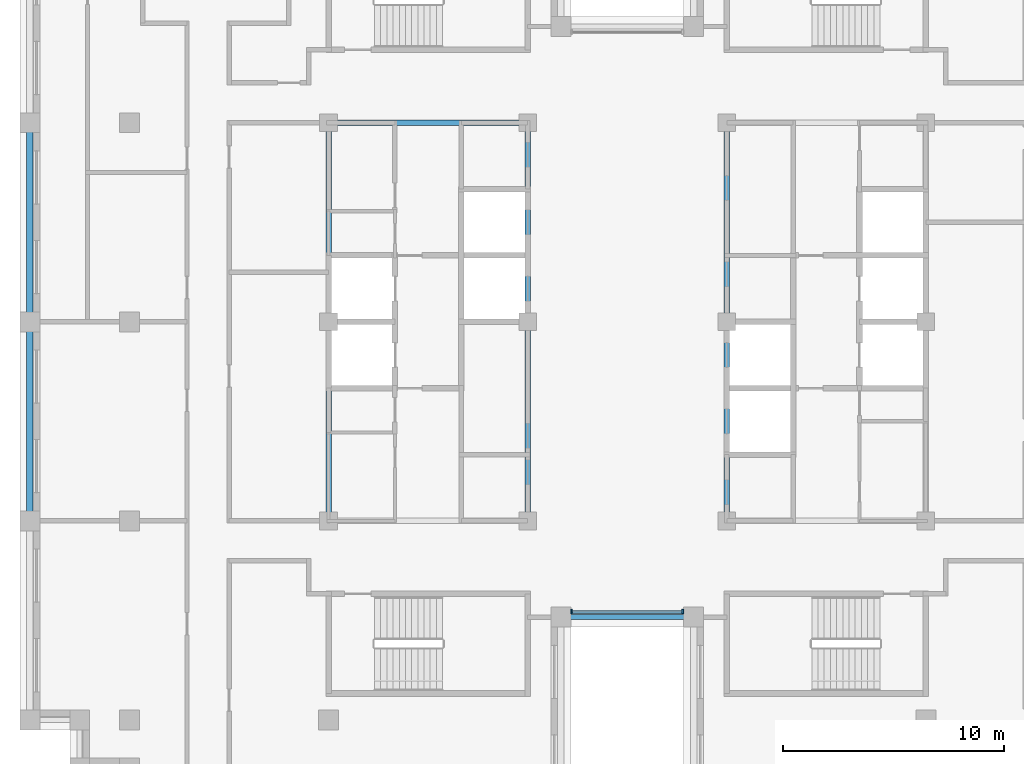
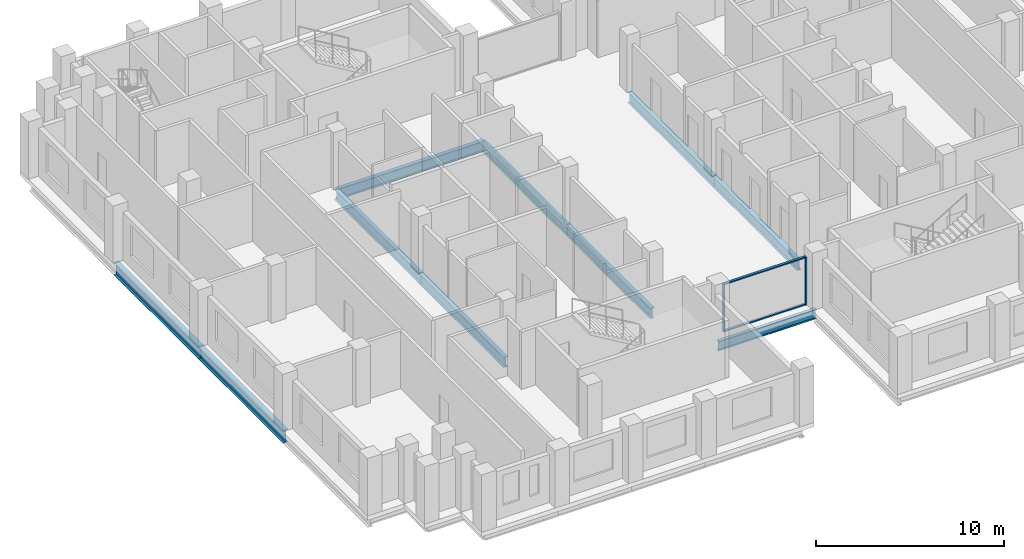
# One storey, part 2 of 13: 10 beams, 4 members, 1 element without a shape of its own.
"""IFC4 building model written with IfcOpenShell, lengths in metres."""

from ifc_helpers import new_model, si_unit, direction, frame, origin, origin_2d, place, context, subcontext, project, spatial, rectangle, i_section, extrude, material, layer, layer_set, material_profile, profile_set, type_object, element, aggregate, save


model = new_model("IFC4")

# Units and contexts
model_context = context("Model", 3, precision=1e-05, world=origin(), true_north=direction((0.0, 1.0)))
body_context = subcontext(model_context, "Body", "Model", "MODEL_VIEW")
ifc_project = project(units=[si_unit("LENGTHUNIT", "METRE"), si_unit("AREAUNIT", "SQUARE_METRE"), si_unit("VOLUMEUNIT", "CUBIC_METRE"), si_unit("PLANEANGLEUNIT", "RADIAN"), si_unit("MASSUNIT", "GRAM", prefix="KILO")], contexts=[model_context])

# Site, building, storey
site_placement = place(None, origin())
site = spatial("IfcSite", under=ifc_project, at=site_placement, CompositionType="ELEMENT")
building_placement = place(site_placement, origin())
building = spatial("IfcBuilding", under=site, at=building_placement, Name="Corbelhall Arena Tower", CompositionType="ELEMENT")
storey_placement = place(building_placement, frame((0.0, 0.0, 250.0)))
storey = spatial("IfcBuildingStorey", under=building, at=storey_placement, Name="L53", CompositionType="ELEMENT", Elevation=250.0)

# Curtain wall, members
ifc_material_1 = material(Name="Aluminium black anodised", Category="aluminium")
ifc_layer = layer(ifc_material_1, 0.199951171875)
ifc_layer_set = layer_set([ifc_layer], Name="EV-CW1 Slot back wall")
curtain_wall_type = type_object("IfcCurtainWallType", Name="EV-CW1 Slot back wall", PredefinedType="NOTDEFINED", material=ifc_layer_set)
curtain_wall_placement = place(storey_placement, origin())
curtain_wall = element("IfcCurtainWall", 1, at=curtain_wall_placement, inside=storey, type_object=curtain_wall_type, Name="Curtain wall CW1", PredefinedType="NOTDEFINED")
ifc_material_profile_1 = material_profile(ifc_material_1, rectangle(XDim=0.199951171875, YDim=0.074951171875, at=origin_2d()))
ifc_profile_set_1 = profile_set([ifc_material_profile_1], Name="Aluminium black anodised")
member_type_1 = type_object("IfcMemberType", Name="EV-CW1-MULLION", PredefinedType="MULLION", material=ifc_profile_set_1)
member_1_placement = place(storey_placement, frame((-2.512451171875, -13.10009765625, 0.0), z_axis=(0.0, 0.0, 1.0), x_axis=(0.0, 1.0, 0.0)))
member_1 = element("IfcMember", 2, at=member_1_placement, type_object=member_type_1, Name="CW1 mullion 1", PredefinedType="MULLION", context=body_context, shape_type="SweptSolid", body=[
    extrude(rectangle(XDim=0.199951171875, YDim=0.074951171875, at=origin_2d()), origin(), (0.0, 0.0, 1.0), 3.1201171875),
])
member_2_placement = place(storey_placement, frame((2.512451171875, -13.10009765625, 0.0), z_axis=(0.0, 0.0, 1.0), x_axis=(0.0, 1.0, 0.0)))
member_2 = element("IfcMember", 3, at=member_2_placement, type_object=member_type_1, Name="CW1 mullion 2", PredefinedType="MULLION", context=body_context, shape_type="SweptSolid", body=[
    extrude(rectangle(XDim=0.199951171875, YDim=0.074951171875, at=origin_2d()), origin(), (0.0, 0.0, 1.0), 3.1201171875),
])
ifc_material_profile_2 = material_profile(ifc_material_1, rectangle(XDim=0.14990234375, YDim=0.074951171875, at=origin_2d()))
ifc_profile_set_2 = profile_set([ifc_material_profile_2], Name="Aluminium black anodised")
member_type_2 = type_object("IfcMemberType", Name="EV-CW1-TRANSOM", PredefinedType="USERDEFINED", material=ifc_profile_set_2)
member_3_placement = place(storey_placement, frame((-2.47509765625, -13.10009765625, 0.03759765625), z_axis=(1.0, 0.0, 0.0), x_axis=(0.0, 1.0, 0.0)))
member_3 = element("IfcMember", 4, at=member_3_placement, type_object=member_type_2, Name="CW1 transom 1.1", ObjectType="transom", PredefinedType="USERDEFINED", context=body_context, shape_type="SweptSolid", body=[
    extrude(rectangle(XDim=0.14990234375, YDim=0.074951171875, at=origin_2d()), origin(), (0.0, 0.0, 1.0), 4.9501953125),
])
member_4_placement = place(storey_placement, frame((-2.47509765625, -13.10009765625, 3.08251953125), z_axis=(1.0, 0.0, 0.0), x_axis=(0.0, 1.0, 0.0)))
member_4 = element("IfcMember", 5, at=member_4_placement, type_object=member_type_2, Name="CW1 transom 1.2", ObjectType="transom", PredefinedType="USERDEFINED", context=body_context, shape_type="SweptSolid", body=[
    extrude(rectangle(XDim=0.14990234375, YDim=0.074951171875, at=origin_2d()), origin(), (0.0, 0.0, 1.0), 4.9501953125),
])
aggregate(curtain_wall, [member_1, member_2, member_3, member_4])

# Beams
ifc_material_2 = material(Name="Steel ASTM A992 Gr50", Category="steel")
ifc_material_profile_3 = material_profile(ifc_material_2, i_section(OverallWidth=0.25390625, OverallDepth=0.67822265625, WebThickness=0.01171875, FlangeThickness=0.016357421875, at=origin_2d()))
ifc_profile_set_3 = profile_set([ifc_material_profile_3], Name="Steel ASTM A992 Gr50")
beam_type_1 = type_object("IfcBeamType", Name="ST-BEAM-W27x84", PredefinedType="BEAM", material=ifc_profile_set_3)
for number, where, z_axis, x_axis, name in (
    (6, (-13.5, -9.0, -0.619140625), (0.0, 1.0, 0.0), (-1.0, 0.0, 0.0), "Beam CEW 1"),
    (7, (-13.5, 0.0, -0.619140625), (0.0, 1.0, 0.0), (-1.0, 0.0, 0.0), "Beam CEW 2"),
    (8, (-4.5, -9.0, -0.619140625), (0.0, 1.0, 0.0), (-1.0, 0.0, 0.0), "Beam CEW 3"),
    (9, (-4.5, 0.0, -0.619140625), (0.0, 1.0, 0.0), (-1.0, 0.0, 0.0), "Beam CEW 4"),
    (10, (-13.5, 9.0, -0.619140625), (1.0, 0.0, 0.0), (0.0, 1.0, 0.0), "Beam CEW 6"),
    (11, (4.5, -9.0, -0.619140625), (0.0, 1.0, 0.0), (-1.0, 0.0, 0.0), "Beam CEE 7"),
    (12, (4.5, 0.0, -0.619140625), (0.0, 1.0, 0.0), (-1.0, 0.0, 0.0), "Beam CEE 8"),
):
    element("IfcBeam", number, at=place(storey_placement, frame(where, z_axis=z_axis, x_axis=x_axis)), inside=storey, type_object=beam_type_1, Name=name, PredefinedType="BEAM", context=body_context, shape_type="SweptSolid", body=[
        extrude(i_section(OverallWidth=0.25390625, OverallDepth=0.67822265625, WebThickness=0.01171875, FlangeThickness=0.016357421875, at=origin_2d()), origin(), (0.0, 0.0, 1.0), 9.0),
    ])
ifc_material_profile_4 = material_profile(ifc_material_2, i_section(OverallWidth=0.227783203125, OverallDepth=0.60205078125, WebThickness=0.010498046875, FlangeThickness=0.014892578125, at=origin_2d()))
ifc_profile_set_4 = profile_set([ifc_material_profile_4], Name="Steel ASTM A992 Gr50")
beam_type_2 = type_object("IfcBeamType", Name="ST-SPANDREL-W24x68", PredefinedType="SPANDREL", material=ifc_profile_set_4)
beam_placement = place(storey_placement, frame((3.0, -13.35009765625, -0.5810546875), z_axis=(-1.0, 0.0, 0.0), x_axis=(0.0, -1.0, 0.0)))
element("IfcBeam", 13, at=beam_placement, inside=storey, type_object=beam_type_2, Name="Beam SP 33", PredefinedType="SPANDREL", context=body_context, shape_type="SweptSolid", body=[
    extrude(i_section(OverallWidth=0.227783203125, OverallDepth=0.60205078125, WebThickness=0.010498046875, FlangeThickness=0.014892578125, at=origin_2d()), origin(), (0.0, 0.0, 1.0), 6.0),
])
ifc_material_profile_5 = material_profile(ifc_material_2, i_section(OverallWidth=0.2919921875, OverallDepth=0.845703125, WebThickness=0.015380859375, FlangeThickness=0.0244140625, at=origin_2d()))
ifc_profile_set_5 = profile_set([ifc_material_profile_5], Name="Steel ASTM A992 Gr50")
beam_type_3 = type_object("IfcBeamType", Name="ST-SPANDREL-W33x141", PredefinedType="SPANDREL", material=ifc_profile_set_5)
for number, where, z_axis, x_axis, name in (
    (14, (-27.0, 0.0, -0.702880859375), (0.0, 1.0, 0.0), (-1.0, 0.0, 0.0), "Beam SP 26"),
    (15, (-27.0, -9.0, -0.702880859375), (0.0, 1.0, 0.0), (-1.0, 0.0, 0.0), "Beam SP 29"),
):
    element("IfcBeam", number, at=place(storey_placement, frame(where, z_axis=z_axis, x_axis=x_axis)), inside=storey, type_object=beam_type_3, Name=name, PredefinedType="SPANDREL", context=body_context, shape_type="SweptSolid", body=[
        extrude(i_section(OverallWidth=0.2919921875, OverallDepth=0.845703125, WebThickness=0.015380859375, FlangeThickness=0.0244140625, at=origin_2d()), origin(), (0.0, 0.0, 1.0), 9.0),
    ])

save(model, "model.ifc")
